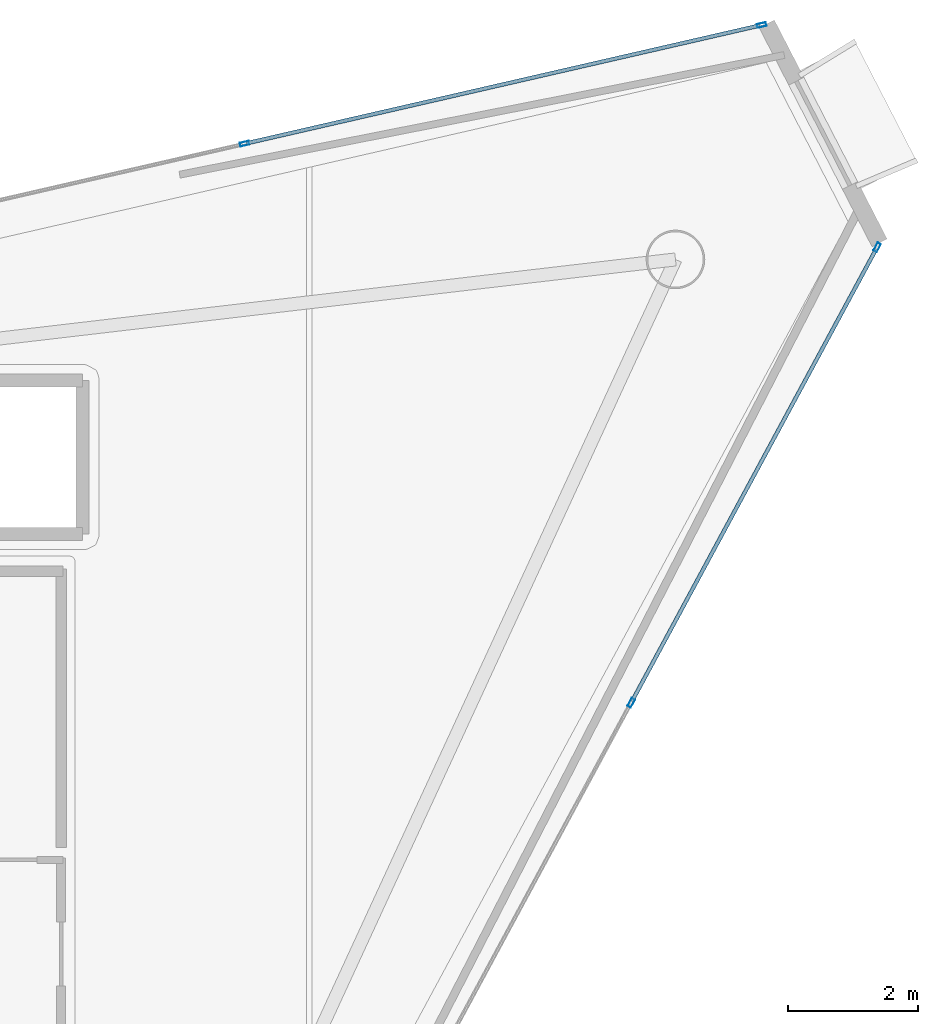
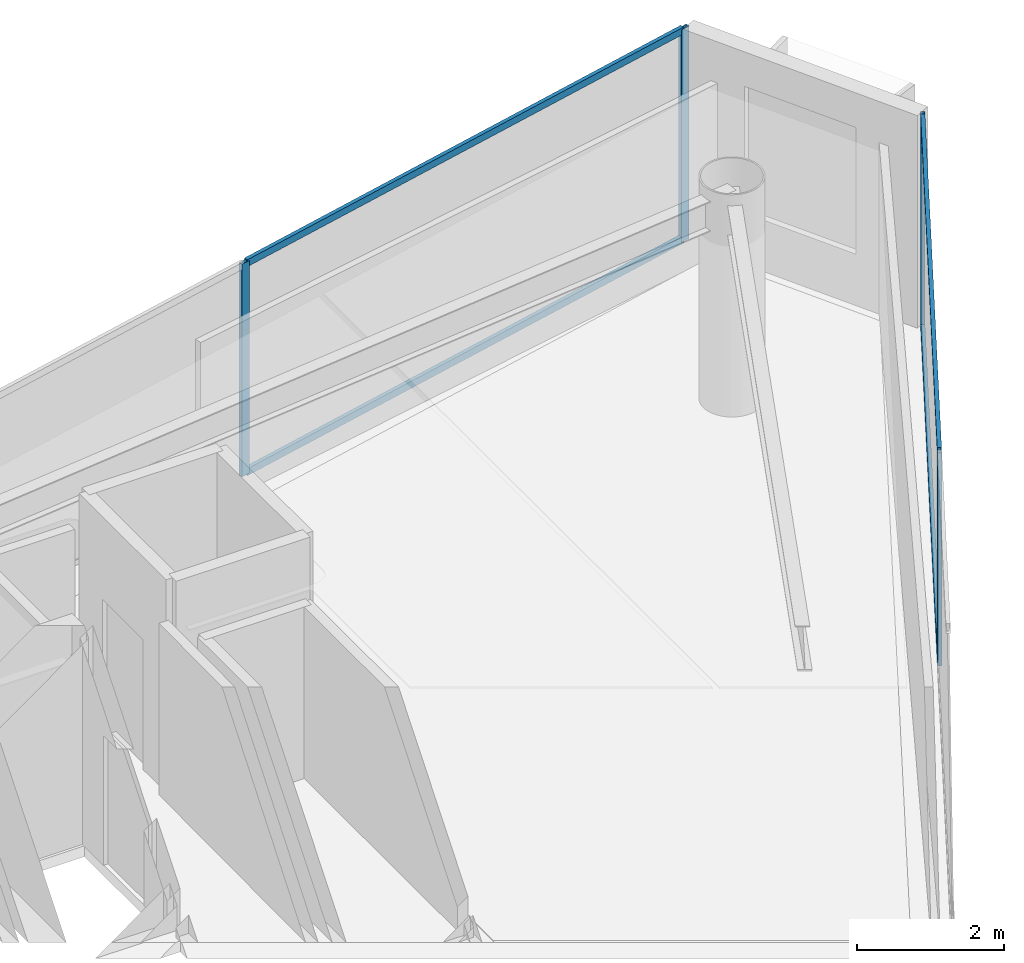
# One storey, part 17 of 24: 8 members, 2 elements without a shape of their own.
"""IFC4 building model written with IfcOpenShell, lengths in metres."""

from ifc_helpers import new_model, si_unit, direction, frame, origin, origin_2d, place, context, subcontext, project, spatial, hollow_rectangle, extrude, material, layer, layer_set, material_profile, profile_set, type_object, element, aggregate, save


model = new_model("IFC4")

# Units and contexts
model_context = context("Model", 3, precision=1e-05, world=origin(), true_north=direction((0.0, 1.0)))
body_context = subcontext(model_context, "Body", "Model", "MODEL_VIEW")
ifc_project = project(units=[si_unit("LENGTHUNIT", "METRE"), si_unit("AREAUNIT", "SQUARE_METRE"), si_unit("VOLUMEUNIT", "CUBIC_METRE"), si_unit("PLANEANGLEUNIT", "RADIAN"), si_unit("MASSUNIT", "GRAM", prefix="KILO")], contexts=[model_context])

# Site, building, storey
site_placement = place(None, origin())
site = spatial("IfcSite", under=ifc_project, at=site_placement, CompositionType="ELEMENT")
building_placement = place(site_placement, origin())
building = spatial("IfcBuilding", under=site, at=building_placement, Name="Qianvela Tower", CompositionType="ELEMENT")
storey_placement = place(building_placement, frame((0.0, 0.0, 306.5)))
storey = spatial("IfcBuildingStorey", under=building, at=storey_placement, Name="L79", CompositionType="ELEMENT", Elevation=306.5)

# Curtain wall, members
ifc_material_1 = material(Name="Anodised Architectural Aluminium and Low-E Glass", Category="aluminium")
ifc_layer = layer(ifc_material_1, 0.14990234375)
ifc_layer_set = layer_set([ifc_layer], Name="Anodised Architectural Aluminium and Low-E Glass")
curtain_wall_type = type_object("IfcCurtainWallType", Name="CW-COLIV-Z78", PredefinedType="USERDEFINED", material=ifc_layer_set)
curtain_wall_1_placement = place(storey_placement, origin())
curtain_wall_1 = element("IfcCurtainWall", 1, at=curtain_wall_1_placement, inside=storey, type_object=curtain_wall_type, Name="L79 CW-COLIV-Z78 Curtain Wall 02A", ObjectType="CURTAIN_WALL_SYSTEM", PredefinedType="USERDEFINED")
ifc_material_2 = material(Name="Anodised Architectural Aluminium 6063-T6", Category="aluminium")
ifc_material_profile_1 = material_profile(ifc_material_2, hollow_rectangle(XDim=0.06005859375, YDim=0.139892578125, WallThickness=0.00439453125, at=origin_2d()), Name="ALU-MULL-60x140")
ifc_profile_set_1 = profile_set([ifc_material_profile_1], Name="Anodised Architectural Aluminium 6063-T6")
member_type_1 = type_object("IfcMemberType", Name="CW-COLIV-Z78-MULL", PredefinedType="MULLION", material=ifc_profile_set_1)
member_1_placement = place(storey_placement, frame((53.971923828125, 40.732666015625, 0.0), z_axis=(0.0, 0.0, 1.0), x_axis=(0.22370555495, -0.974656772759, 0.0)))
member_1 = element("IfcMember", 2, at=member_1_placement, type_object=member_type_1, Name="CW-6 mullion 1", PredefinedType="MULLION", context=body_context, shape_type="SweptSolid", body=[
    extrude(hollow_rectangle(XDim=0.06005859375, YDim=0.139892578125, WallThickness=0.00439453125, at=origin_2d()), origin(), (0.0, 0.0, 1.0), 3.52001953125),
])
member_2_placement = place(storey_placement, frame((46.033447265625, 38.91064453125, 0.0), z_axis=(0.0, 0.0, 1.0), x_axis=(0.22370555495, -0.974656772759, 0.0)))
member_2 = element("IfcMember", 3, at=member_2_placement, type_object=member_type_1, Name="CW-6 mullion 2", PredefinedType="MULLION", context=body_context, shape_type="SweptSolid", body=[
    extrude(hollow_rectangle(XDim=0.06005859375, YDim=0.139892578125, WallThickness=0.00439453125, at=origin_2d()), origin(), (0.0, 0.0, 1.0), 3.52001953125),
])

curtain_wall_2_placement = place(storey_placement, origin())
curtain_wall_2 = element("IfcCurtainWall", 4, at=curtain_wall_2_placement, inside=storey, type_object=curtain_wall_type, Name="L79 CW-COLIV-Z78 Curtain Wall 06C", ObjectType="CURTAIN_WALL_SYSTEM", PredefinedType="USERDEFINED")
member_3_placement = place(storey_placement, frame((51.96826171875, 30.328369140625, 0.0), z_axis=(0.0, 0.0, 1.0), x_axis=(-0.879924373564, 0.475113772488, 0.0)))
member_3 = element("IfcMember", 5, at=member_3_placement, type_object=member_type_1, Name="CW-6 mullion 2", PredefinedType="MULLION", context=body_context, shape_type="SweptSolid", body=[
    extrude(hollow_rectangle(XDim=0.06005859375, YDim=0.139892578125, WallThickness=0.00439453125, at=origin_2d()), origin(), (0.0, 0.0, 1.0), 3.52001953125),
])
member_4_placement = place(storey_placement, frame((55.7431640625, 37.31982421875, 0.0), z_axis=(0.0, 0.0, 1.0), x_axis=(-0.879924373564, 0.475113772488, 0.0)))
member_4 = element("IfcMember", 6, at=member_4_placement, type_object=member_type_1, Name="CW-6 mullion 3", PredefinedType="MULLION", context=body_context, shape_type="SweptSolid", body=[
    extrude(hollow_rectangle(XDim=0.06005859375, YDim=0.139892578125, WallThickness=0.00439453125, at=origin_2d()), origin(), (0.0, 0.0, 1.0), 3.52001953125),
])

# Member
ifc_material_3 = material(Name="Anodised Architectural Aluminium 6063-T6", Category="aluminium")
ifc_material_profile_2 = material_profile(ifc_material_3, hollow_rectangle(XDim=0.06005859375, YDim=0.114990234375, WallThickness=0.00390625, at=origin_2d()), Name="ALU-TRAN-60x115")
ifc_profile_set_2 = profile_set([ifc_material_profile_2], Name="Anodised Architectural Aluminium 6063-T6")
member_type_2 = type_object("IfcMemberType", Name="CW-COLIV-Z78-TRAN", PredefinedType="USERDEFINED", material=ifc_profile_set_2)
member_5_placement = place(storey_placement, frame((53.942626953125, 40.72607421875, 0.030029296875), z_axis=(-0.974652126157, -0.22372579864, 0.0), x_axis=(0.22372579864, -0.974652126157, 0.0)))
member_5 = element("IfcMember", 7, at=member_5_placement, type_object=member_type_2, Name="CW-6 transom 1.1", ObjectType="TRANSOM", PredefinedType="USERDEFINED", context=body_context, shape_type="SweptSolid", body=[
    extrude(hollow_rectangle(XDim=0.06005859375, YDim=0.114990234375, WallThickness=0.00390625, at=origin_2d()), origin(), (0.0, 0.0, 1.0), 8.0849609375),
])

member_6_placement = place(storey_placement, frame((53.942626953125, 40.72607421875, 3.489990234375), z_axis=(-0.974652126157, -0.22372579864, 0.0), x_axis=(0.22372579864, -0.974652126157, 0.0)))
member_6 = element("IfcMember", 8, at=member_6_placement, type_object=member_type_2, Name="CW-6 transom 1.2", ObjectType="TRANSOM", PredefinedType="USERDEFINED", context=body_context, shape_type="SweptSolid", body=[
    extrude(hollow_rectangle(XDim=0.06005859375, YDim=0.114990234375, WallThickness=0.00390625, at=origin_2d()), origin(), (0.0, 0.0, 1.0), 8.0849609375),
])

aggregate(curtain_wall_1, [member_1, member_2, member_5, member_6])

member_7_placement = place(storey_placement, frame((51.982421875, 30.354736328125, 0.030029296875), z_axis=(0.475129737697, 0.879915752988, 0.0), x_axis=(-0.879915752988, 0.475129737697, 0.0)))
member_7 = element("IfcMember", 9, at=member_7_placement, type_object=member_type_2, Name="CW-6 transom 2.1", ObjectType="TRANSOM", PredefinedType="USERDEFINED", context=body_context, shape_type="SweptSolid", body=[
    extrude(hollow_rectangle(XDim=0.06005859375, YDim=0.114990234375, WallThickness=0.00390625, at=origin_2d()), origin(), (0.0, 0.0, 1.0), 7.885498046875),
])

member_8_placement = place(storey_placement, frame((51.982421875, 30.354736328125, 3.489990234375), z_axis=(0.475129737697, 0.879915752988, 0.0), x_axis=(-0.879915752988, 0.475129737697, 0.0)))
member_8 = element("IfcMember", 10, at=member_8_placement, type_object=member_type_2, Name="CW-6 transom 2.2", ObjectType="TRANSOM", PredefinedType="USERDEFINED", context=body_context, shape_type="SweptSolid", body=[
    extrude(hollow_rectangle(XDim=0.06005859375, YDim=0.114990234375, WallThickness=0.00390625, at=origin_2d()), origin(), (0.0, 0.0, 1.0), 7.885498046875),
])

aggregate(curtain_wall_2, [member_3, member_4, member_7, member_8])

save(model, "model.ifc")
